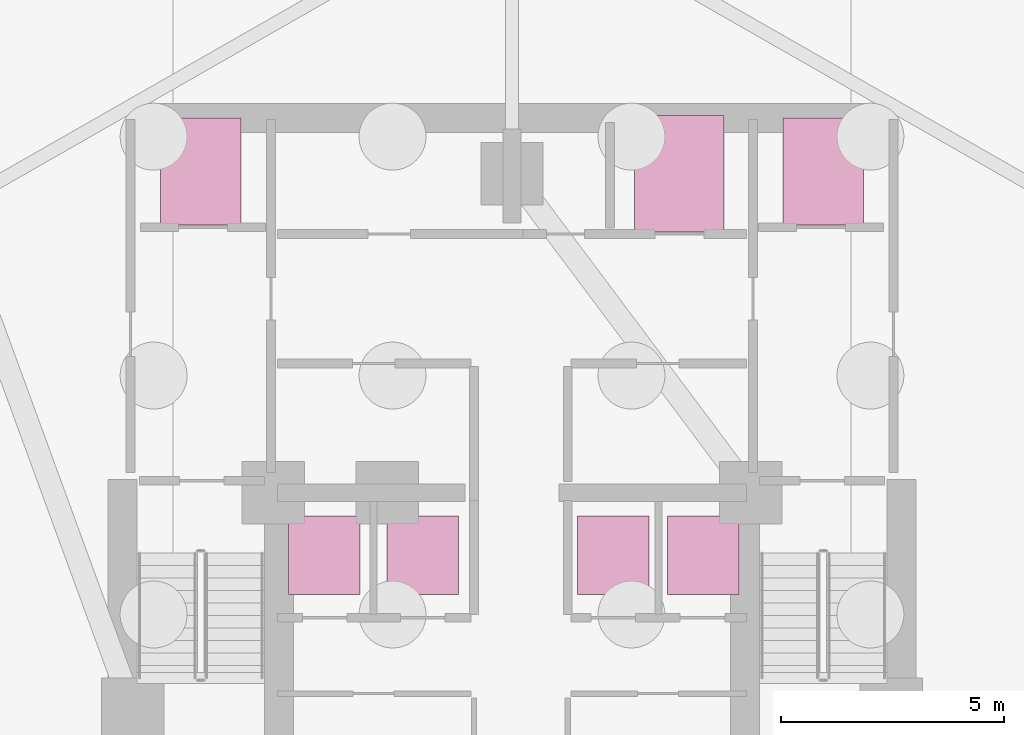
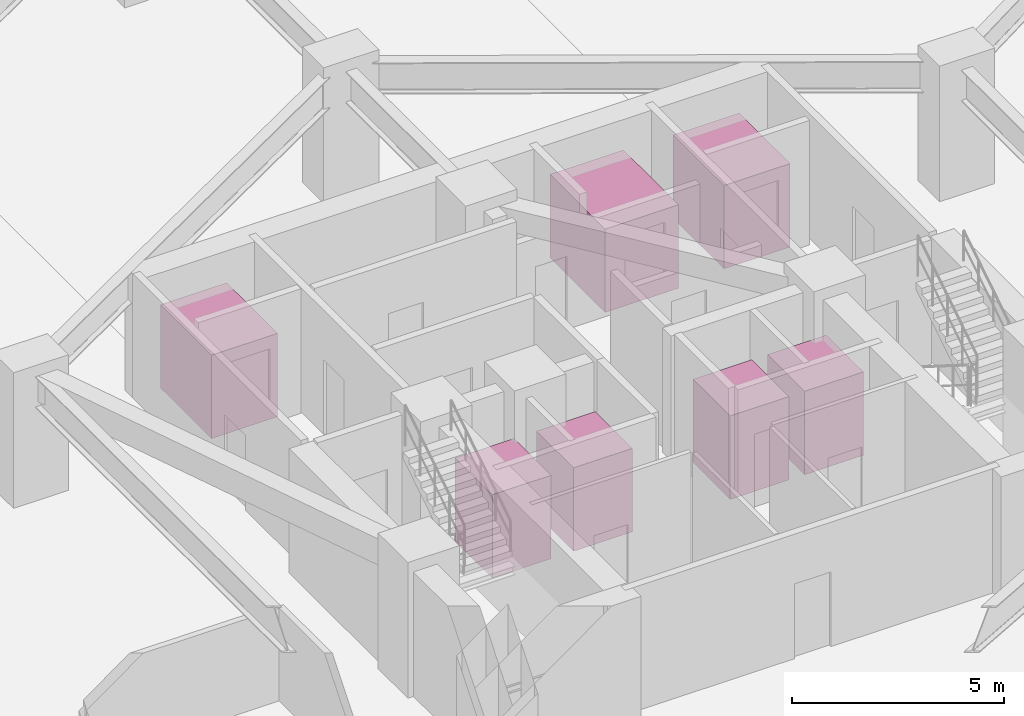
# One storey, part 14 of 14: 7 transport elements.
"""IFC4 building model written with IfcOpenShell, lengths in metres."""

from ifc_helpers import new_model, si_unit, direction, frame, origin, origin_2d, place, context, subcontext, project, spatial, rectangle, extrude, material, type_object, element, save


model = new_model("IFC4")

# Units and contexts
model_context = context("Model", 3, precision=1e-05, world=origin(), true_north=direction((0.0, 1.0)))
body_context = subcontext(model_context, "Body", "Model", "MODEL_VIEW")
ifc_project = project(units=[si_unit("LENGTHUNIT", "METRE"), si_unit("AREAUNIT", "SQUARE_METRE"), si_unit("VOLUMEUNIT", "CUBIC_METRE"), si_unit("PLANEANGLEUNIT", "RADIAN"), si_unit("MASSUNIT", "GRAM", prefix="KILO")], contexts=[model_context])

# Site, building, storey
site_placement = place(None, origin())
site = spatial("IfcSite", under=ifc_project, at=site_placement, CompositionType="ELEMENT")
building_placement = place(site_placement, origin())
building = spatial("IfcBuilding", under=site, at=building_placement, Name="Miruveldt Soraemaru", CompositionType="ELEMENT")
storey_placement = place(building_placement, frame((0.0, 0.0, -15.60009765625)))
storey = spatial("IfcBuildingStorey", under=building, at=storey_placement, Name="B4", CompositionType="ELEMENT", Elevation=-15.60009765625)

# Transport elements
ifc_material = material(Name="Anodised aluminium EN AW-6063 T6", Category="aluminium")
transport_element_type_1 = type_object("IfcTransportElementType", Name="LIFT-CAR-FFL", PredefinedType="ELEVATOR", material=ifc_material)
for number, where, z_axis, x_axis, name in (
    (1, (37.02490234375, 51.25, 0.000244140625), (0.0, 0.0, 1.0), (1.0, 0.0, 0.0), "Elevator Car FFL-1"),
    (2, (50.97509765625, 51.25, 0.000244140625), (0.0, 0.0, 1.0), (1.0, 0.0, 0.0), "Elevator Car FFL-2"),
):
    element("IfcTransportElement", number, at=place(storey_placement, frame(where, z_axis=z_axis, x_axis=x_axis)), inside=storey, type_object=transport_element_type_1, Name=name, PredefinedType="ELEVATOR", context=body_context, shape_type="SweptSolid", body=[
        extrude(rectangle(XDim=1.800048828125, YDim=2.39990234375, at=origin_2d()), origin(), (0.0, 0.0, 1.0), 2.39990234375),
    ])
transport_element_type_2 = type_object("IfcTransportElementType", Name="LIFT-CAR-LOW", PredefinedType="ELEVATOR", material=ifc_material)
for number, where, z_axis, x_axis, name in (
    (3, (39.7900390625, 42.64990234375, 0.000244140625), (0.0, 0.0, 1.0), (1.0, 0.0, 0.0), "Elevator Car PL-L1"),
    (4, (42.0, 42.64990234375, 0.000244140625), (0.0, 0.0, 1.0), (1.0, 0.0, 0.0), "Elevator Car PL-L2"),
    (5, (46.264892578125, 42.64990234375, 0.000244140625), (0.0, 0.0, 1.0), (1.0, 0.0, 0.0), "Elevator Car PL-L3"),
    (6, (48.2900390625, 42.64990234375, 0.000244140625), (0.0, 0.0, 1.0), (1.0, 0.0, 0.0), "Elevator Car PL-L4"),
):
    element("IfcTransportElement", number, at=place(storey_placement, frame(where, z_axis=z_axis, x_axis=x_axis)), inside=storey, type_object=transport_element_type_2, Name=name, PredefinedType="ELEVATOR", context=body_context, shape_type="SweptSolid", body=[
        extrude(rectangle(XDim=1.60009765625, YDim=1.75, at=origin_2d()), origin(), (0.0, 0.0, 1.0), 2.39990234375),
    ])
transport_element_type_3 = type_object("IfcTransportElementType", Name="LIFT-CAR-SVC", PredefinedType="ELEVATOR", material=ifc_material)
transport_element_placement = place(storey_placement, frame((47.75, 51.199951171875, 0.000244140625), z_axis=(0.0, 0.0, 1.0), x_axis=(1.0, 0.0, 0.0)))
element("IfcTransportElement", 7, at=transport_element_placement, inside=storey, type_object=transport_element_type_3, Name="Elevator Car SL-1", PredefinedType="ELEVATOR", context=body_context, shape_type="SweptSolid", body=[
    extrude(rectangle(XDim=2.0, YDim=2.60009765625, at=origin_2d()), origin(), (0.0, 0.0, 1.0), 2.39990234375),
])

save(model, "model.ifc")
